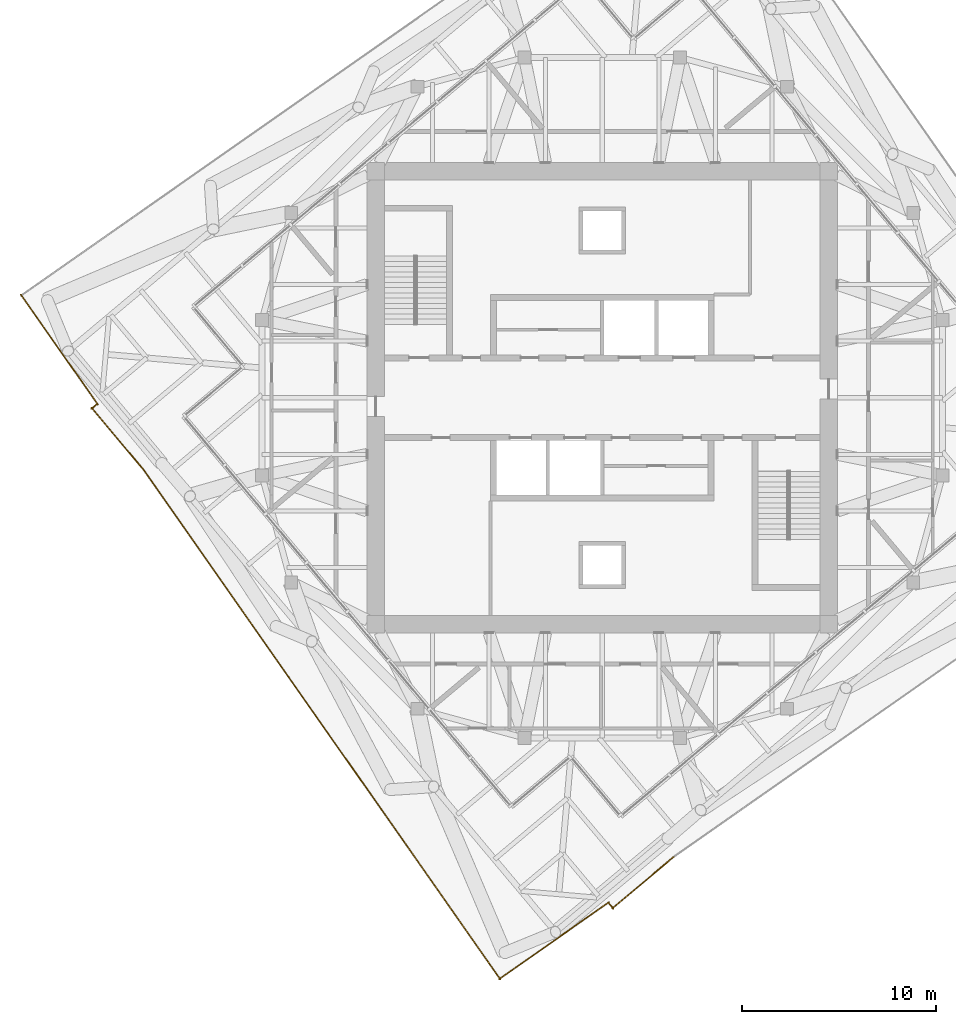
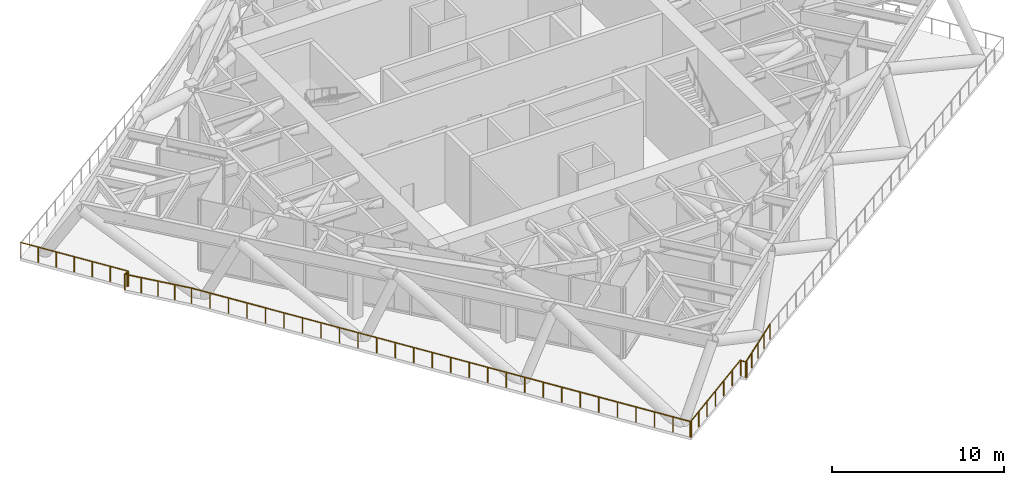
# One storey, part 11 of 15: 7 railings.
"""IFC4 building model written with IfcOpenShell, lengths in metres."""

from ifc_helpers import new_model, si_unit, direction, frame, origin, origin_2d, place, context, subcontext, project, spatial, circle, extrude, material, type_object, element, save


model = new_model("IFC4")

# Units and contexts
model_context = context("Model", 3, precision=1e-05, world=origin(), true_north=direction((0.0, 1.0)))
body_context = subcontext(model_context, "Body", "Model", "MODEL_VIEW")
ifc_project = project(units=[si_unit("LENGTHUNIT", "METRE"), si_unit("AREAUNIT", "SQUARE_METRE"), si_unit("VOLUMEUNIT", "CUBIC_METRE"), si_unit("PLANEANGLEUNIT", "RADIAN"), si_unit("MASSUNIT", "GRAM", prefix="KILO")], contexts=[model_context])

# Site, building, storey
site_placement = place(None, origin())
site = spatial("IfcSite", under=ifc_project, at=site_placement, CompositionType="ELEMENT")
building_placement = place(site_placement, origin())
building = spatial("IfcBuilding", under=site, at=building_placement, Name="Torsade Residences", CompositionType="ELEMENT")
storey_placement = place(building_placement, frame((0.0, 0.0, 267.60009765625)))
storey = spatial("IfcBuildingStorey", under=building, at=storey_placement, Name="L74", CompositionType="ELEMENT", Elevation=267.60009765625)

# Railings
ifc_material = material(Name="Galvanised steel guard rail", Category="steel")
railing_type = type_object("IfcRailingType", Name="ROOF EDGE GUARD 1100", PredefinedType="GUARDRAIL", material=ifc_material)
railing_1_placement = place(storey_placement, frame((40.343505859375, 3.9990234375, 0.0)))
element("IfcRailing", 1, at=railing_1_placement, inside=storey, type_object=railing_type, Name="Roof edge guard L74 1", PredefinedType="GUARDRAIL", context=body_context, shape_type="SweptSolid", body=[
    extrude(circle(Radius=0.02392578125, at=origin_2d()), frame((0.0, 0.0, 1.076171875), z_axis=(0.64257387482, -0.766223737167, 0.0), x_axis=(0.766223737167, 0.64257387482, 0.0)), (0.0, 0.0, 1.0), 0.361328125),
    extrude(circle(Radius=0.02099609375, at=origin_2d()), origin(), (0.0, 0.0, 1.0), 1.052001953125),
    extrude(circle(Radius=0.02099609375, at=origin_2d()), frame((0.232177734375, -0.27685546875, 0.0)), (0.0, 0.0, 1.0), 1.052001953125),
])
railing_2_placement = place(storey_placement, frame((40.50537109375, 3.728515625, 0.0)))
element("IfcRailing", 2, at=railing_2_placement, inside=storey, type_object=railing_type, Name="Roof edge guard L74 2", PredefinedType="GUARDRAIL", context=body_context, shape_type="SweptSolid", body=[
    extrude(circle(Radius=0.02392578125, at=origin_2d()), frame((0.0, 0.0, 1.076171875), z_axis=(0.766049001605, 0.642782177056, 0.0), x_axis=(-0.642782177056, 0.766049001605, 0.0)), (0.0, 0.0, 1.0), 4.135498046875),
    extrude(circle(Radius=0.02099609375, at=origin_2d()), origin(), (0.0, 0.0, 1.0), 1.052001953125),
    extrude(circle(Radius=0.02099609375, at=origin_2d()), frame((0.7919921875, 0.66455078125, 0.0)), (0.0, 0.0, 1.0), 1.052001953125),
    extrude(circle(Radius=0.02099609375, at=origin_2d()), frame((1.583984375, 1.3291015625, 0.0)), (0.0, 0.0, 1.0), 1.052001953125),
    extrude(circle(Radius=0.02099609375, at=origin_2d()), frame((2.3759765625, 1.99365234375, 0.0)), (0.0, 0.0, 1.0), 1.052001953125),
    extrude(circle(Radius=0.02099609375, at=origin_2d()), frame((3.16796875, 2.658203125, 0.0)), (0.0, 0.0, 1.0), 1.052001953125),
])
railing_3_placement = place(storey_placement, frame((10.097412109375, 35.30859375, 0.0)))
element("IfcRailing", 3, at=railing_3_placement, inside=storey, type_object=railing_type, Name="Roof edge guard L74 12", PredefinedType="GUARDRAIL", context=body_context, shape_type="SweptSolid", body=[
    extrude(circle(Radius=0.02392578125, at=origin_2d()), frame((0.0, 0.0, 1.076171875), z_axis=(0.573561936735, -0.819162196838, 0.0), x_axis=(0.819162196838, 0.573561936735, 0.0)), (0.0, 0.0, 1.0), 6.90966796875),
    extrude(circle(Radius=0.02099609375, at=origin_2d()), origin(), (0.0, 0.0, 1.0), 1.052001953125),
    extrude(circle(Radius=0.02099609375, at=origin_2d()), frame((0.66064453125, -0.943359375, 0.0)), (0.0, 0.0, 1.0), 1.052001953125),
    extrude(circle(Radius=0.02099609375, at=origin_2d()), frame((1.321044921875, -1.88671875, 0.0)), (0.0, 0.0, 1.0), 1.052001953125),
    extrude(circle(Radius=0.02099609375, at=origin_2d()), frame((1.9814453125, -2.830078125, 0.0)), (0.0, 0.0, 1.0), 1.052001953125),
    extrude(circle(Radius=0.02099609375, at=origin_2d()), frame((2.64208984375, -3.7734375, 0.0)), (0.0, 0.0, 1.0), 1.052001953125),
    extrude(circle(Radius=0.02099609375, at=origin_2d()), frame((3.302734375, -4.716796875, 0.0)), (0.0, 0.0, 1.0), 1.052001953125),
    extrude(circle(Radius=0.02099609375, at=origin_2d()), frame((3.963134765625, -5.66015625, 0.0)), (0.0, 0.0, 1.0), 1.052001953125),
])
railing_4_placement = place(storey_placement, frame((13.9990234375, 29.656494140625, 0.0)))
element("IfcRailing", 4, at=railing_4_placement, inside=storey, type_object=railing_type, Name="Roof edge guard L74 13", PredefinedType="GUARDRAIL", context=body_context, shape_type="SweptSolid", body=[
    extrude(circle(Radius=0.02392578125, at=origin_2d()), frame((0.0, 0.0, 1.076171875), z_axis=(-0.766223737167, -0.64257387482, 0.0), x_axis=(0.64257387482, -0.766223737167, 0.0)), (0.0, 0.0, 1.0), 0.361328125),
    extrude(circle(Radius=0.02099609375, at=origin_2d()), origin(), (0.0, 0.0, 1.0), 1.052001953125),
    extrude(circle(Radius=0.02099609375, at=origin_2d()), frame((-0.27685546875, -0.232177734375, 0.0)), (0.0, 0.0, 1.0), 1.052001953125),
])
railing_5_placement = place(storey_placement, frame((13.728515625, 29.49462890625, 0.0)))
element("IfcRailing", 5, at=railing_5_placement, inside=storey, type_object=railing_type, Name="Roof edge guard L74 14", PredefinedType="GUARDRAIL", context=body_context, shape_type="SweptSolid", body=[
    extrude(circle(Radius=0.02392578125, at=origin_2d()), frame((0.0, 0.0, 1.076171875), z_axis=(0.642782177056, -0.766049001605, 0.0), x_axis=(0.766049001605, 0.642782177056, 0.0)), (0.0, 0.0, 1.0), 4.135498046875),
    extrude(circle(Radius=0.02099609375, at=origin_2d()), origin(), (0.0, 0.0, 1.0), 1.052001953125),
    extrude(circle(Radius=0.02099609375, at=origin_2d()), frame((0.66455078125, -0.7919921875, 0.0)), (0.0, 0.0, 1.0), 1.052001953125),
    extrude(circle(Radius=0.02099609375, at=origin_2d()), frame((1.3291015625, -1.583984375, 0.0)), (0.0, 0.0, 1.0), 1.052001953125),
    extrude(circle(Radius=0.02099609375, at=origin_2d()), frame((1.99365234375, -2.3759765625, 0.0)), (0.0, 0.0, 1.0), 1.052001953125),
    extrude(circle(Radius=0.02099609375, at=origin_2d()), frame((2.658203125, -3.16796875, 0.0)), (0.0, 0.0, 1.0), 1.052001953125),
])
railing_6_placement = place(storey_placement, frame((16.386474609375, 26.32666015625, 0.0)))
element("IfcRailing", 6, at=railing_6_placement, inside=storey, type_object=railing_type, Name="Roof edge guard L74 15", PredefinedType="GUARDRAIL", context=body_context, shape_type="SweptSolid", body=[
    extrude(circle(Radius=0.02392578125, at=origin_2d()), frame((0.0, 0.0, 1.076171875), z_axis=(0.573573841347, -0.819153861324, 0.0), x_axis=(0.819153861324, 0.573573841347, 0.0)), (0.0, 0.0, 1.0), 32.03515625),
    extrude(circle(Radius=0.02099609375, at=origin_2d()), origin(), (0.0, 0.0, 1.0), 1.052001953125),
    extrude(circle(Radius=0.02099609375, at=origin_2d()), frame((0.680419921875, -0.971923828125, 0.0)), (0.0, 0.0, 1.0), 1.052001953125),
    extrude(circle(Radius=0.02099609375, at=origin_2d()), frame((1.361083984375, -1.94384765625, 0.0)), (0.0, 0.0, 1.0), 1.052001953125),
    extrude(circle(Radius=0.02099609375, at=origin_2d()), frame((2.04150390625, -2.915771484375, 0.0)), (0.0, 0.0, 1.0), 1.052001953125),
    extrude(circle(Radius=0.02099609375, at=origin_2d()), frame((2.72216796875, -3.8876953125, 0.0)), (0.0, 0.0, 1.0), 1.052001953125),
    extrude(circle(Radius=0.02099609375, at=origin_2d()), frame((3.402587890625, -4.859619140625, 0.0)), (0.0, 0.0, 1.0), 1.052001953125),
    extrude(circle(Radius=0.02099609375, at=origin_2d()), frame((4.083251953125, -5.83154296875, 0.0)), (0.0, 0.0, 1.0), 1.052001953125),
    extrude(circle(Radius=0.02099609375, at=origin_2d()), frame((4.763671875, -6.803466796875, 0.0)), (0.0, 0.0, 1.0), 1.052001953125),
    extrude(circle(Radius=0.02099609375, at=origin_2d()), frame((5.4443359375, -7.775390625, 0.0)), (0.0, 0.0, 1.0), 1.052001953125),
    extrude(circle(Radius=0.02099609375, at=origin_2d()), frame((6.124755859375, -8.747314453125, 0.0)), (0.0, 0.0, 1.0), 1.052001953125),
    extrude(circle(Radius=0.02099609375, at=origin_2d()), frame((6.805419921875, -9.71923828125, 0.0)), (0.0, 0.0, 1.0), 1.052001953125),
    extrude(circle(Radius=0.02099609375, at=origin_2d()), frame((7.48583984375, -10.691162109375, 0.0)), (0.0, 0.0, 1.0), 1.052001953125),
    extrude(circle(Radius=0.02099609375, at=origin_2d()), frame((8.16650390625, -11.6630859375, 0.0)), (0.0, 0.0, 1.0), 1.052001953125),
    extrude(circle(Radius=0.02099609375, at=origin_2d()), frame((8.846923828125, -12.635009765625, 0.0)), (0.0, 0.0, 1.0), 1.052001953125),
    extrude(circle(Radius=0.02099609375, at=origin_2d()), frame((9.527587890625, -13.606689453125, 0.0)), (0.0, 0.0, 1.0), 1.052001953125),
    extrude(circle(Radius=0.02099609375, at=origin_2d()), frame((10.2080078125, -14.57861328125, 0.0)), (0.0, 0.0, 1.0), 1.052001953125),
    extrude(circle(Radius=0.02099609375, at=origin_2d()), frame((10.888671875, -15.550537109375, 0.0)), (0.0, 0.0, 1.0), 1.052001953125),
    extrude(circle(Radius=0.02099609375, at=origin_2d()), frame((11.569091796875, -16.5224609375, 0.0)), (0.0, 0.0, 1.0), 1.052001953125),
    extrude(circle(Radius=0.02099609375, at=origin_2d()), frame((12.249755859375, -17.494384765625, 0.0)), (0.0, 0.0, 1.0), 1.052001953125),
    extrude(circle(Radius=0.02099609375, at=origin_2d()), frame((12.93017578125, -18.46630859375, 0.0)), (0.0, 0.0, 1.0), 1.052001953125),
    extrude(circle(Radius=0.02099609375, at=origin_2d()), frame((13.61083984375, -19.438232421875, 0.0)), (0.0, 0.0, 1.0), 1.052001953125),
    extrude(circle(Radius=0.02099609375, at=origin_2d()), frame((14.291259765625, -20.41015625, 0.0)), (0.0, 0.0, 1.0), 1.052001953125),
    extrude(circle(Radius=0.02099609375, at=origin_2d()), frame((14.971923828125, -21.382080078125, 0.0)), (0.0, 0.0, 1.0), 1.052001953125),
    extrude(circle(Radius=0.02099609375, at=origin_2d()), frame((15.65234375, -22.35400390625, 0.0)), (0.0, 0.0, 1.0), 1.052001953125),
    extrude(circle(Radius=0.02099609375, at=origin_2d()), frame((16.3330078125, -23.325927734375, 0.0)), (0.0, 0.0, 1.0), 1.052001953125),
    extrude(circle(Radius=0.02099609375, at=origin_2d()), frame((17.013427734375, -24.2978515625, 0.0)), (0.0, 0.0, 1.0), 1.052001953125),
    extrude(circle(Radius=0.02099609375, at=origin_2d()), frame((17.694091796875, -25.269775390625, 0.0)), (0.0, 0.0, 1.0), 1.052001953125),
    extrude(circle(Radius=0.02099609375, at=origin_2d()), frame((18.37451171875, -26.24169921875, 0.0)), (0.0, 0.0, 1.0), 1.052001953125),
])
railing_7_placement = place(storey_placement, frame((34.69140625, 0.097412109375, 0.0)))
element("IfcRailing", 7, at=railing_7_placement, inside=storey, type_object=railing_type, Name="Roof edge guard L74 16", PredefinedType="GUARDRAIL", context=body_context, shape_type="SweptSolid", body=[
    extrude(circle(Radius=0.02392578125, at=origin_2d()), frame((0.0, 0.0, 1.076171875), z_axis=(0.819162196838, 0.573561936735, 0.0), x_axis=(-0.573561936735, 0.819162196838, 0.0)), (0.0, 0.0, 1.0), 6.90966796875),
    extrude(circle(Radius=0.02099609375, at=origin_2d()), origin(), (0.0, 0.0, 1.0), 1.052001953125),
    extrude(circle(Radius=0.02099609375, at=origin_2d()), frame((0.943359375, 0.66064453125, 0.0)), (0.0, 0.0, 1.0), 1.052001953125),
    extrude(circle(Radius=0.02099609375, at=origin_2d()), frame((1.88671875, 1.321044921875, 0.0)), (0.0, 0.0, 1.0), 1.052001953125),
    extrude(circle(Radius=0.02099609375, at=origin_2d()), frame((2.830078125, 1.9814453125, 0.0)), (0.0, 0.0, 1.0), 1.052001953125),
    extrude(circle(Radius=0.02099609375, at=origin_2d()), frame((3.7734375, 2.64208984375, 0.0)), (0.0, 0.0, 1.0), 1.052001953125),
    extrude(circle(Radius=0.02099609375, at=origin_2d()), frame((4.716796875, 3.302734375, 0.0)), (0.0, 0.0, 1.0), 1.052001953125),
    extrude(circle(Radius=0.02099609375, at=origin_2d()), frame((5.66015625, 3.963134765625, 0.0)), (0.0, 0.0, 1.0), 1.052001953125),
])

save(model, "model.ifc")
